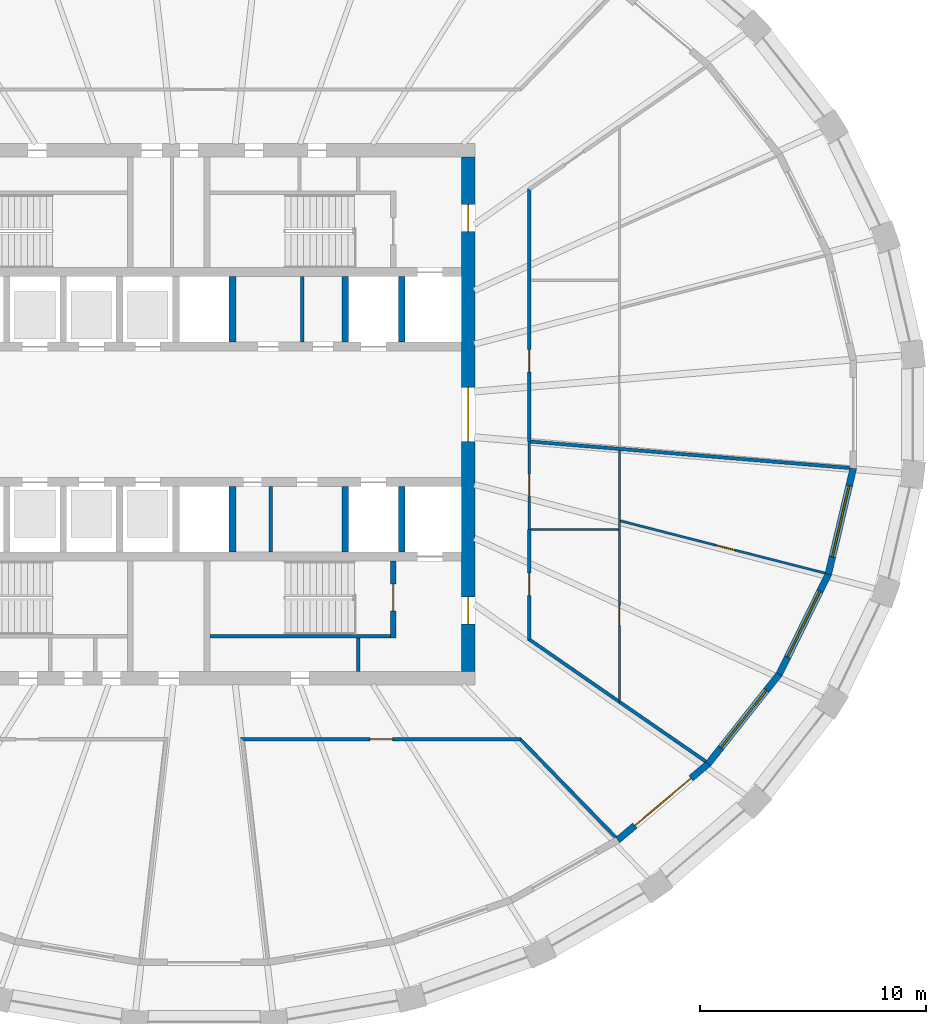
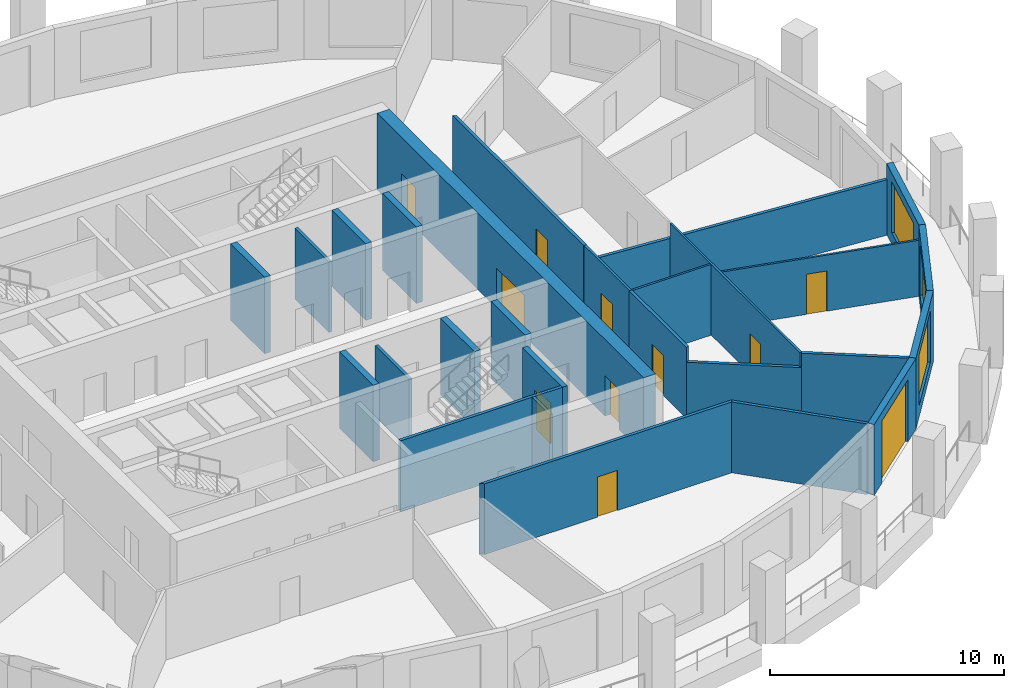
# One storey, part 5 of 11: 27 walls, 11 doors, 3 windows, 14 openings.
"""IFC4 building model written with IfcOpenShell, lengths in metres."""

from ifc_helpers import new_model, si_unit, direction, frame, frame_2d, origin, place, context, subcontext, project, spatial, polyline, rectangle, outline, extrude, material, layer, layer_set, type_object, element, fill, save


model = new_model("IFC4")

# Units and contexts
model_context = context("Model", 3, precision=1e-05, world=origin(), true_north=direction((0.0, 1.0)))
body_context = subcontext(model_context, "Body", "Model", "MODEL_VIEW")
ifc_project = project(units=[si_unit("LENGTHUNIT", "METRE"), si_unit("AREAUNIT", "SQUARE_METRE"), si_unit("VOLUMEUNIT", "CUBIC_METRE"), si_unit("PLANEANGLEUNIT", "RADIAN"), si_unit("MASSUNIT", "GRAM", prefix="KILO")], contexts=[model_context])

# Site, building, storey
site_placement = place(None, origin())
site = spatial("IfcSite", under=ifc_project, at=site_placement, CompositionType="ELEMENT")
building_placement = place(site_placement, origin())
building = spatial("IfcBuilding", under=site, at=building_placement, Name="Halqa Exchange Tower", CompositionType="ELEMENT")
storey_placement = place(building_placement, frame((0.0, 0.0, 226.89990234375)))
storey = spatial("IfcBuildingStorey", under=building, at=storey_placement, Name="L52", CompositionType="ELEMENT", Elevation=226.89990234375)

# Wall, opening, door
ifc_material_1 = material(Name="Fire-rated gypsum board")
ifc_layer_1 = layer(ifc_material_1, 0.14990234375)
ifc_layer_set_1 = layer_set([ifc_layer_1], Name="Fire-rated gypsum board")
wall_type_1 = type_object("IfcWallType", Name="Fire partition EI 60 150", PredefinedType="PARTITIONING", material=ifc_layer_set_1)
wall_1_placement = place(storey_placement, frame((14.041748046875, -14.39990234375, 0.0), z_axis=(0.0, 0.0, 1.0), x_axis=(-1.0, 0.0, 0.0)))
wall_1 = element("IfcWall", 1, at=wall_1_placement, inside=storey, type_object=wall_type_1, Name="L52-PWL-014", PredefinedType="PARTITIONING", context=body_context, shape_type="SweptSolid", body=[
    extrude(outline(polyline([(12.446044921875, -0.074951171875), (12.446044921875, -0.074951171875), (12.277587890625, 0.074951171875), (10.53271484375, 0.074951171875), (8.787841796875, 0.074951171875), (7.04296875, 0.074951171875), (5.298095703125, 0.074951171875), (3.55322265625, 0.074951171875), (1.808349609375, 0.074951171875), (0.063232421875, 0.074951171875), (0.0, -0.074951171875), (1.778076171875, -0.074951171875), (3.55615234375, -0.074951171875), (5.333984375, -0.074951171875), (7.112060546875, -0.074951171875), (8.89013671875, -0.074951171875), (10.66796875, -0.074951171875), (12.446044921875, -0.074951171875)])), origin(), (0.0, 0.0, 1.0), 3.7001953125),
])
opening_1_placement = place(wall_1_placement, frame((5.69677734375, 0.0, 0.0)))
opening_1 = element("IfcOpeningElement", 2, at=opening_1_placement, cuts=wall_1, Name="Opening 16-06", PredefinedType="OPENING", context=body_context, shape_type="SweptSolid", body=[
    extrude(rectangle(XDim=1.0, YDim=2.10009765625, at=frame_2d((0.5, 1.050048828125))), frame((0.0, 0.0869140625, 0.0), z_axis=(0.0, -1.0, 0.0), x_axis=(1.0, 0.0, 0.0)), (0.0, 0.0, 1.0), 0.173828125),
])
ifc_material_2 = material(Name="Steel fire door leaf", Category="steel")
door_type_1 = type_object("IfcDoorType", Name="Fire door FD30S 1000 x 2100", OperationType="SINGLE_SWING_LEFT", PredefinedType="DOOR", material=ifc_material_2)
door_1_placement = place(opening_1_placement, origin())
door_1 = element("IfcDoor", 3, at=door_1_placement, inside=storey, type_object=door_type_1, Name="L52-IDR-006", OperationType="SINGLE_SWING_LEFT", OverallHeight=2.10009765625, OverallWidth=1.0, PredefinedType="DOOR", context=body_context, shape_type="SweptSolid", body=[
    extrude(rectangle(XDim=1.0, YDim=2.10009765625, at=frame_2d((0.5, 1.050048828125))), frame((0.0, 0.02490234375, 0.0), z_axis=(0.0, -1.0, 0.0), x_axis=(1.0, 0.0, 0.0)), (0.0, 0.0, 1.0), 0.050048828125),
])
fill(opening_1, door_1)

# Wall
wall_2_placement = place(storey_placement, frame((14.36767578125, -9.947509765625, 0.0), z_axis=(0.0, 0.0, 1.0), x_axis=(0.822094305235, -0.569351344339, 0.0)))
element("IfcWall", 4, at=wall_2_placement, inside=storey, type_object=wall_type_1, Name="L52-PWL-016", PredefinedType="PARTITIONING", context=body_context, shape_type="SweptSolid", body=[
    extrude(outline(polyline([(4.93896484375, -0.074951171875), (4.93896484375, 0.035888671875), (4.858154296875, -0.02001953125), (4.792236328125, 0.074951171875), (3.220947265625, 0.074951171875), (1.64990234375, 0.074951171875), (0.07861328125, 0.074951171875), (0.039306640625, 0.0), (0.000244140625, -0.074951171875), (1.646484375, -0.074951171875), (3.292724609375, -0.074951171875), (4.93896484375, -0.074951171875)])), origin(), (0.0, 0.0, 1.0), 2.947021484375),
])

# Wall, opening, door
wall_3_placement = place(storey_placement, frame((14.39990234375, -5.10009765625, 0.0), z_axis=(0.0, 0.0, 1.0), x_axis=(0.0, -1.0, 0.0)))
wall_3 = element("IfcWall", 5, at=wall_3_placement, inside=storey, type_object=wall_type_1, Name="L52-PWL-017", PredefinedType="PARTITIONING", context=body_context, shape_type="SweptSolid", body=[
    extrude(outline(polyline([(4.9091796875, -0.074951171875), (4.9091796875, -0.074951171875), (4.830810546875, 0.074951171875), (3.220458984375, 0.074951171875), (1.6103515625, 0.074951171875), (0.0, 0.074951171875), (0.0, -0.074951171875), (1.636474609375, -0.074951171875), (3.272705078125, -0.074951171875), (4.9091796875, -0.074951171875)])), origin(), (0.0, 0.0, 1.0), 3.7001953125),
])
opening_2_placement = place(wall_3_placement, frame((1.93505859375, 0.0, 0.0)))
opening_2 = element("IfcOpeningElement", 6, at=opening_2_placement, cuts=wall_3, Name="Opening 16-08", PredefinedType="OPENING", context=body_context, shape_type="SweptSolid", body=[
    extrude(rectangle(XDim=1.0, YDim=2.10009765625, at=frame_2d((0.5, 1.050048828125))), frame((0.0, 0.0869140625, 0.0), z_axis=(0.0, -1.0, 0.0), x_axis=(1.0, 0.0, 0.0)), (0.0, 0.0, 1.0), 0.173828125),
])
door_2_placement = place(opening_2_placement, origin())
door_2 = element("IfcDoor", 7, at=door_2_placement, inside=storey, type_object=door_type_1, Name="L52-IDR-008", OperationType="SINGLE_SWING_RIGHT", OverallHeight=2.10009765625, OverallWidth=1.0, PredefinedType="DOOR", context=body_context, shape_type="SweptSolid", body=[
    extrude(rectangle(XDim=1.0, YDim=2.10009765625, at=frame_2d((0.5, 1.050048828125))), frame((0.0, 0.02490234375, 0.0), z_axis=(0.0, -1.0, 0.0), x_axis=(1.0, 0.0, 0.0)), (0.0, 0.0, 1.0), 0.050048828125),
])
fill(opening_2, door_2)

wall_4_placement = place(storey_placement, frame((14.39990234375, -1.199951171875, 0.0), z_axis=(0.0, 0.0, 1.0), x_axis=(0.0, 1.0, 0.0)))
wall_4 = element("IfcWall", 8, at=wall_4_placement, inside=storey, type_object=wall_type_1, Name="L52-PWL-019", PredefinedType="PARTITIONING", context=body_context, shape_type="SweptSolid", body=[
    extrude(outline(polyline([(0.0, -0.074951171875), (1.855224609375, -0.074951171875), (3.710205078125, -0.074951171875), (5.5654296875, -0.074951171875), (7.42041015625, -0.074951171875), (9.275634765625, -0.074951171875), (11.130859375, -0.074951171875), (11.209228515625, 0.074951171875), (11.209228515625, 0.074951171875), (9.341064453125, 0.074951171875), (7.472900390625, 0.074951171875), (5.6044921875, 0.074951171875), (3.736328125, 0.074951171875), (1.8681640625, 0.074951171875), (0.0, 0.074951171875), (0.0, -0.074951171875)])), origin(), (0.0, 0.0, 1.0), 3.7001953125),
])
opening_3_placement = place(wall_4_placement, frame((3.070068359375, 0.0, 0.0)))
opening_3 = element("IfcOpeningElement", 9, at=opening_3_placement, cuts=wall_4, Name="Opening 16-10", PredefinedType="OPENING", context=body_context, shape_type="SweptSolid", body=[
    extrude(rectangle(XDim=1.0, YDim=2.10009765625, at=frame_2d((0.5, 1.050048828125))), frame((0.0, 0.0869140625, 0.0), z_axis=(0.0, -1.0, 0.0), x_axis=(1.0, 0.0, 0.0)), (0.0, 0.0, 1.0), 0.173828125),
])
door_3_placement = place(opening_3_placement, frame((1.0, 0.0, 0.0), z_axis=(0.0, 0.0, 1.0), x_axis=(-1.0, 0.0, 0.0)))
door_3 = element("IfcDoor", 10, at=door_3_placement, inside=storey, type_object=door_type_1, Name="L52-IDR-010", OperationType="SINGLE_SWING_RIGHT", OverallHeight=2.10009765625, OverallWidth=1.0, PredefinedType="DOOR", context=body_context, shape_type="SweptSolid", body=[
    extrude(rectangle(XDim=1.0, YDim=2.10009765625, at=frame_2d((0.5, 1.050048828125))), frame((0.0, 0.02490234375, 0.0), z_axis=(0.0, -1.0, 0.0), x_axis=(1.0, 0.0, 0.0)), (0.0, 0.0, 1.0), 0.050048828125),
])
fill(opening_3, door_3)

# Walls
wall_5_placement = place(storey_placement, frame((14.46630859375, -1.20556640625, 0.0), z_axis=(0.0, 0.0, 1.0), x_axis=(0.996598124583, -0.082414671491, 0.0)))
element("IfcWall", 11, at=wall_5_placement, inside=storey, type_object=wall_type_1, Name="L52-PWL-020", PredefinedType="PARTITIONING", context=body_context, shape_type="SweptSolid", body=[
    extrude(outline(polyline([(0.0, -0.074951171875), (1.333740234375, -0.074951171875), (2.667236328125, -0.074951171875), (4.0009765625, -0.074951171875), (4.00341796875, -0.07470703125), (4.00341796875, -0.074951171875), (5.700439453125, -0.074951171875), (7.397216796875, -0.074951171875), (9.09423828125, -0.074951171875), (10.791259765625, -0.074951171875), (12.488037109375, -0.074951171875), (14.18505859375, -0.074951171875), (14.189697265625, -0.0439453125), (14.189697265625, 0.074951171875), (12.47509765625, 0.074951171875), (10.7607421875, 0.074951171875), (9.046142578125, 0.074951171875), (7.33154296875, 0.074951171875), (5.6171875, 0.074951171875), (3.902587890625, 0.074951171875), (3.890869140625, 0.073974609375), (3.890869140625, 0.074951171875), (1.946533203125, 0.074951171875), (0.00244140625, 0.074951171875), (0.00830078125, 0.00634765625), (0.0, 0.005615234375), (0.0, -0.074951171875)])), origin(), (0.0, 0.0, 1.0), 2.900146484375),
])
wall_6_placement = place(storey_placement, frame((18.242431640625, -18.746826171875, 0.0), z_axis=(0.0, 0.0, 1.0), x_axis=(-0.697616683155, 0.716471188105, 0.0)))
element("IfcWall", 12, at=wall_6_placement, inside=storey, type_object=wall_type_1, Name="L52-PWL-022", PredefinedType="PARTITIONING", context=body_context, shape_type="SweptSolid", body=[
    extrude(outline(polyline([(0.0, -0.074951171875), (1.524658203125, -0.074951171875), (3.04931640625, -0.074951171875), (4.573974609375, -0.074951171875), (6.0986328125, -0.074951171875), (6.06689453125, 0.0), (6.035400390625, 0.074951171875), (4.532958984375, 0.074951171875), (3.030517578125, 0.074951171875), (1.52783203125, 0.074951171875), (0.025390625, 0.074951171875), (0.005126953125, -0.002197265625), (0.0, -0.07177734375), (0.0, -0.074951171875)])), origin(), (0.0, 0.0, 1.0), 3.7001953125),
])
wall_7_placement = place(storey_placement, frame((18.42822265625, -12.759521484375, 0.0), z_axis=(0.0, 0.0, 1.0), x_axis=(0.822939262801, -0.568129360041, 0.0)))
element("IfcWall", 13, at=wall_7_placement, inside=storey, type_object=wall_type_1, Name="L52-PWL-023", PredefinedType="PARTITIONING", context=body_context, shape_type="SweptSolid", body=[
    extrude(outline(polyline([(0.0, -0.074951171875), (1.531494140625, -0.074951171875), (3.062744140625, -0.074951171875), (4.59423828125, -0.074951171875), (4.61474609375, 0.00048828125), (4.619140625, 0.06787109375), (4.619140625, 0.074951171875), (3.079345703125, 0.074951171875), (1.539794921875, 0.074951171875), (0.0, 0.074951171875), (0.0, 0.038330078125), (0.001220703125, 0.03662109375), (0.0, 0.035888671875), (0.0, -0.074951171875)])), origin(), (0.0, 0.0, 1.0), 3.7001953125),
])

# Wall, opening, door
ifc_material_3 = material(Name="Fire-rated glazing", Category="glass")
ifc_layer_2 = layer(ifc_material_3, 0.1201171875)
ifc_layer_set_2 = layer_set([ifc_layer_2], Name="Fire-rated glazing")
wall_type_2 = type_object("IfcWallType", Name="Glazed fire partition EI 60 120", PredefinedType="PARTITIONING", material=ifc_layer_set_2)
wall_8_placement = place(storey_placement, frame((14.39990234375, -1.199951171875, 0.0), z_axis=(0.0, 0.0, 1.0), x_axis=(0.0, -1.0, 0.0)))
wall_8 = element("IfcWall", 14, at=wall_8_placement, inside=storey, type_object=wall_type_2, Name="L52-PWL-018", PredefinedType="PARTITIONING", context=body_context, shape_type="SweptSolid", body=[
    extrude(rectangle(XDim=3.900146484375, YDim=0.1201171875, at=frame_2d((1.9501953125, 0.0))), origin(), (0.0, 0.0, 1.0), 3.7001953125),
])
opening_4_placement = place(wall_8_placement, frame((1.449951171875, 0.0, 0.0)))
opening_4 = element("IfcOpeningElement", 15, at=opening_4_placement, cuts=wall_8, Name="Opening 16-07", PredefinedType="OPENING", context=body_context, shape_type="SweptSolid", body=[
    extrude(rectangle(XDim=1.0, YDim=2.10009765625, at=frame_2d((0.5, 1.050048828125))), frame((0.0, 0.072021484375, 0.0), z_axis=(0.0, -1.0, 0.0), x_axis=(1.0, 0.0, 0.0)), (0.0, 0.0, 1.0), 0.14404296875),
])
door_4_placement = place(opening_4_placement, origin())
door_4 = element("IfcDoor", 16, at=door_4_placement, inside=storey, type_object=door_type_1, Name="L52-IDR-007", OperationType="SINGLE_SWING_LEFT", OverallHeight=2.10009765625, OverallWidth=1.0, PredefinedType="DOOR", context=body_context, shape_type="SweptSolid", body=[
    extrude(rectangle(XDim=1.0, YDim=2.10009765625, at=frame_2d((0.5, 1.050048828125))), frame((0.0, 0.02490234375, 0.0), z_axis=(0.0, -1.0, 0.0), x_axis=(1.0, 0.0, 0.0)), (0.0, 0.0, 1.0), 0.050048828125),
])
fill(opening_4, door_4)

ifc_material_4 = material(Name="Gypsum board")
ifc_layer_3 = layer(ifc_material_4, 0.10009765625)
ifc_layer_set_3 = layer_set([ifc_layer_3], Name="Gypsum board")
wall_type_3 = type_object("IfcWallType", Name="Partition 100 gypsum", PredefinedType="PARTITIONING", material=ifc_layer_set_3)
wall_9_placement = place(storey_placement, frame((18.39990234375, -12.72998046875, 0.0), z_axis=(0.0, 0.0, 1.0), x_axis=(0.0, 1.0, 0.0)))
wall_9 = element("IfcWall", 17, at=wall_9_placement, inside=storey, type_object=wall_type_3, Name="L52-PWL-024", PredefinedType="PARTITIONING", context=body_context, shape_type="SweptSolid", body=[
    extrude(rectangle(XDim=11.119873046875, YDim=0.10009765625, at=frame_2d((5.56005859375, 0.0))), origin(), (0.0, 0.0, 1.0), 3.7001953125),
])
opening_5_placement = place(wall_9_placement, frame((3.364990234375, 0.0, 0.0)))
opening_5 = element("IfcOpeningElement", 18, at=opening_5_placement, cuts=wall_9, Name="Opening 16-12", PredefinedType="OPENING", context=body_context, shape_type="SweptSolid", body=[
    extrude(rectangle(XDim=0.89990234375, YDim=2.10009765625, at=frame_2d((0.449951171875, 1.050048828125))), frame((0.0, 0.06201171875, 0.0), z_axis=(0.0, -1.0, 0.0), x_axis=(1.0, 0.0, 0.0)), (0.0, 0.0, 1.0), 0.1240234375),
])
ifc_material_5 = material(Name="Timber door leaf", Category="wood")
door_type_2 = type_object("IfcDoorType", Name="Door 900 x 2100", OperationType="SINGLE_SWING_LEFT", PredefinedType="DOOR", material=ifc_material_5)
door_5_placement = place(opening_5_placement, origin())
door_5 = element("IfcDoor", 19, at=door_5_placement, inside=storey, type_object=door_type_2, Name="L52-IDR-012", OperationType="SINGLE_SWING_LEFT", OverallHeight=2.10009765625, OverallWidth=0.89990234375, PredefinedType="DOOR", context=body_context, shape_type="SweptSolid", body=[
    extrude(rectangle(XDim=0.89990234375, YDim=2.10009765625, at=frame_2d((0.449951171875, 1.050048828125))), frame((0.0, 0.02490234375, 0.0), z_axis=(0.0, -1.0, 0.0), x_axis=(1.0, 0.0, 0.0)), (0.0, 0.0, 1.0), 0.050048828125),
])
fill(opening_5, door_5)

# Wall
wall_10_placement = place(storey_placement, frame((18.35009765625, -5.10009765625, 0.0), z_axis=(0.0, 0.0, 1.0), x_axis=(-1.0, 0.0, 0.0)))
element("IfcWall", 20, at=wall_10_placement, inside=storey, type_object=wall_type_3, Name="L52-PWL-025", PredefinedType="PARTITIONING", context=body_context, shape_type="SweptSolid", body=[
    extrude(outline(polyline([(3.8896484375, -0.050048828125), (3.8896484375, 0.0), (3.875, 0.0), (3.875, 0.050048828125), (1.9375, 0.050048828125), (0.0, 0.050048828125), (0.0, -0.050048828125), (1.94482421875, -0.050048828125), (3.8896484375, -0.050048828125)])), origin(), (0.0, 0.0, 1.0), 3.7001953125),
])

# Wall, opening, door
wall_11_placement = place(storey_placement, frame((18.437744140625, -4.719482421875, 0.0), z_axis=(0.0, 0.0, 1.0), x_axis=(0.968975503795, -0.247156778269, 0.0)))
wall_11 = element("IfcWall", 21, at=wall_11_placement, inside=storey, type_object=wall_type_3, Name="L52-PWL-026", PredefinedType="PARTITIONING", context=body_context, shape_type="SweptSolid", body=[
    extrude(outline(polyline([(0.025390625, -0.050048828125), (1.89208984375, -0.050048828125), (3.758544921875, -0.050048828125), (5.625244140625, -0.050048828125), (7.49169921875, -0.050048828125), (9.3583984375, -0.050048828125), (9.3671875, -0.008056640625), (9.3671875, 0.050048828125), (7.49365234375, 0.050048828125), (5.620361328125, 0.050048828125), (3.746826171875, 0.050048828125), (1.87353515625, 0.050048828125), (0.0, 0.050048828125), (0.0, 0.049560546875), (0.025390625, -0.050048828125)])), origin(), (0.0, 0.0, 1.0), 2.93017578125),
])
opening_6_placement = place(wall_11_placement, frame((4.36669921875, 0.0, 0.0)))
opening_6 = element("IfcOpeningElement", 22, at=opening_6_placement, cuts=wall_11, Name="Opening 16-13", PredefinedType="OPENING", context=body_context, shape_type="SweptSolid", body=[
    extrude(rectangle(XDim=0.89990234375, YDim=2.10009765625, at=frame_2d((0.449951171875, 1.050048828125))), frame((0.0, 0.06201171875, 0.0), z_axis=(0.0, -1.0, 0.0), x_axis=(1.0, 0.0, 0.0)), (0.0, 0.0, 1.0), 0.1240234375),
])
door_6_placement = place(opening_6_placement, origin())
door_6 = element("IfcDoor", 23, at=door_6_placement, inside=storey, type_object=door_type_2, Name="L52-IDR-013", OperationType="SINGLE_SWING_LEFT", OverallHeight=2.10009765625, OverallWidth=0.89990234375, PredefinedType="DOOR", context=body_context, shape_type="SweptSolid", body=[
    extrude(rectangle(XDim=0.89990234375, YDim=2.10009765625, at=frame_2d((0.449951171875, 1.050048828125))), frame((0.0, 0.02490234375, 0.0), z_axis=(0.0, -1.0, 0.0), x_axis=(1.0, 0.0, 0.0)), (0.0, 0.0, 1.0), 0.050048828125),
])
fill(opening_6, door_6)

# Walls
ifc_layer_4 = layer(ifc_material_4, 0.14990234375)
ifc_layer_set_4 = layer_set([ifc_layer_4], Name="Gypsum board")
wall_type_4 = type_object("IfcWallType", Name="Penthouse riser wall 150 gypsum", PredefinedType="PARTITIONING", material=ifc_layer_set_4)
wall_12_placement = place(storey_placement, frame((6.824951171875, -11.39990234375, 0.0), z_axis=(0.0, 0.0, 1.0), x_axis=(0.0, 1.0, 0.0)))
element("IfcWall", 24, at=wall_12_placement, inside=storey, type_object=wall_type_4, Name="Firefighting lobby west wall S", PredefinedType="PARTITIONING", context=body_context, shape_type="SweptSolid", body=[
    extrude(rectangle(XDim=1.5, YDim=0.14990234375, at=frame_2d((0.75, 0.0))), origin(), (0.0, 0.0, 1.0), 3.7001953125),
])
for number, where, z_axis, x_axis, name in (
    (25, (4.35009765625, 3.199951171875, 0.0), (0.0, 0.0, 1.0), (0.0, 1.0, 0.0), "Freed bay partition NE4.350"),
    (26, (2.949951171875, -6.10009765625, 0.0), (0.0, 0.0, 1.0), (0.0, 1.0, 0.0), "Freed bay partition SE2.950"),
):
    element("IfcWall", number, at=place(storey_placement, frame(where, z_axis=z_axis, x_axis=x_axis)), inside=storey, type_object=wall_type_4, Name=name, PredefinedType="PARTITIONING", context=body_context, shape_type="SweptSolid", body=[
        extrude(rectangle(XDim=2.900146484375, YDim=0.14990234375, at=frame_2d((1.4501953125, 0.0))), origin(), (0.0, 0.0, 1.0), 3.7001953125),
    ])
ifc_material_6 = material(Name="Concrete C60/75", Category="concrete")
ifc_layer_5 = layer(ifc_material_6, 0.300048828125)
ifc_layer_set_5 = layer_set([ifc_layer_5], Name="Concrete C60/75")
wall_type_5 = type_object("IfcWallType", Name="RC core wall 300", PredefinedType="SHEAR", material=ifc_layer_set_5)
for number, where, z_axis, x_axis, name in (
    (27, (1.25, 3.199951171875, 0.0), (0.0, 0.0, 1.0), (0.0, 1.0, 0.0), "Shaft divider N5"),
    (28, (6.25, 3.199951171875, 0.0), (0.0, 0.0, 1.0), (0.0, 1.0, 0.0), "Shaft divider N7"),
    (29, (8.75, 3.199951171875, 0.0), (0.0, 0.0, 1.0), (0.0, 1.0, 0.0), "Shaft divider N8"),
    (30, (1.25, -6.10009765625, 0.0), (0.0, 0.0, 1.0), (0.0, 1.0, 0.0), "Shaft divider S5"),
    (31, (6.25, -6.10009765625, 0.0), (0.0, 0.0, 1.0), (0.0, 1.0, 0.0), "Shaft divider S7"),
    (32, (8.75, -6.10009765625, 0.0), (0.0, 0.0, 1.0), (0.0, 1.0, 0.0), "Shaft divider S8"),
):
    element("IfcWall", number, at=place(storey_placement, frame(where, z_axis=z_axis, x_axis=x_axis)), inside=storey, type_object=wall_type_5, Name=name, PredefinedType="SHEAR", context=body_context, shape_type="SweptSolid", body=[
        extrude(rectangle(XDim=2.900146484375, YDim=0.300048828125, at=frame_2d((1.4501953125, 0.0))), origin(), (0.0, 0.0, 1.0), 4.0),
    ])

# Wall, openings, doors
ifc_material_7 = material(Name="Concrete C70/85", Category="concrete")
ifc_layer_6 = layer(ifc_material_7, 0.60009765625)
ifc_layer_set_6 = layer_set([ifc_layer_6], Name="Concrete C70/85")
wall_type_6 = type_object("IfcWallType", Name="RC core wall 600 C70/85", PredefinedType="SHEAR", material=ifc_layer_set_6)
wall_13_placement = place(storey_placement, frame((11.699951171875, -11.39990234375, 0.0), z_axis=(0.0, 0.0, 1.0), x_axis=(0.0, 1.0, 0.0)))
wall_13 = element("IfcWall", 33, at=wall_13_placement, inside=storey, type_object=wall_type_6, Name="Core wall east", PredefinedType="SHEAR", context=body_context, shape_type="SweptSolid", body=[
    extrude(rectangle(XDim=22.7998046875, YDim=0.60009765625, at=frame_2d((11.39990234375, 0.0))), origin(), (0.0, 0.0, 1.0), 4.0),
])
opening_7_placement = place(wall_13_placement, frame((10.199951171875, 0.0, 0.0)))
opening_7 = element("IfcOpeningElement", 34, at=opening_7_placement, cuts=wall_13, Name="Opening T16-C14", PredefinedType="OPENING", context=body_context, shape_type="SweptSolid", body=[
    extrude(rectangle(XDim=2.39990234375, YDim=2.10009765625, at=frame_2d((1.199951171875, 1.050048828125))), frame((0.0, 0.31201171875, 0.0), z_axis=(0.0, -1.0, 0.0), x_axis=(1.0, 0.0, 0.0)), (0.0, 0.0, 1.0), 0.6240234375),
])
opening_8_placement = place(wall_13_placement, frame((19.5, 0.0, 0.0)))
opening_8 = element("IfcOpeningElement", 35, at=opening_8_placement, cuts=wall_13, Name="Opening T16-C19", PredefinedType="OPENING", context=body_context, shape_type="SweptSolid", body=[
    extrude(rectangle(XDim=1.199951171875, YDim=2.10009765625, at=frame_2d((0.60009765625, 1.050048828125))), frame((0.0, 0.31201171875, 0.0), z_axis=(0.0, -1.0, 0.0), x_axis=(1.0, 0.0, 0.0)), (0.0, 0.0, 1.0), 0.6240234375),
])
opening_9_placement = place(wall_13_placement, frame((2.10009765625, 0.0, 0.0)))
opening_9 = element("IfcOpeningElement", 36, at=opening_9_placement, cuts=wall_13, Name="Opening T16-C20", PredefinedType="OPENING", context=body_context, shape_type="SweptSolid", body=[
    extrude(rectangle(XDim=1.199951171875, YDim=2.10009765625, at=frame_2d((0.60009765625, 1.050048828125))), frame((0.0, 0.31201171875, 0.0), z_axis=(0.0, -1.0, 0.0), x_axis=(1.0, 0.0, 0.0)), (0.0, 0.0, 1.0), 0.6240234375),
])
door_type_3 = type_object("IfcDoorType", Name="Firefighting lobby door FD90 1200 x 2100", OperationType="SINGLE_SWING_RIGHT", PredefinedType="DOOR", material=ifc_material_2)
door_7_placement = place(opening_8_placement, origin())
door_7 = element("IfcDoor", 37, at=door_7_placement, inside=storey, type_object=door_type_3, Name="Firefighting lobby door", OperationType="SINGLE_SWING_RIGHT", OverallHeight=2.10009765625, OverallWidth=1.199951171875, PredefinedType="DOOR", context=body_context, shape_type="SweptSolid", body=[
    extrude(rectangle(XDim=1.199951171875, YDim=2.10009765625, at=frame_2d((0.60009765625, 1.050048828125))), frame((0.0, 0.02490234375, 0.0), z_axis=(0.0, -1.0, 0.0), x_axis=(1.0, 0.0, 0.0)), (0.0, 0.0, 1.0), 0.050048828125),
])
fill(opening_8, door_7)
door_8_placement = place(opening_9_placement, origin())
door_8 = element("IfcDoor", 38, at=door_8_placement, inside=storey, type_object=door_type_3, Name="Firefighting lobby door", OperationType="SINGLE_SWING_LEFT", OverallHeight=2.10009765625, OverallWidth=1.199951171875, PredefinedType="DOOR", context=body_context, shape_type="SweptSolid", body=[
    extrude(rectangle(XDim=1.199951171875, YDim=2.10009765625, at=frame_2d((0.60009765625, 1.050048828125))), frame((0.0, 0.02490234375, 0.0), z_axis=(0.0, -1.0, 0.0), x_axis=(1.0, 0.0, 0.0)), (0.0, 0.0, 1.0), 0.050048828125),
])
fill(opening_9, door_8)
door_type_4 = type_object("IfcDoorType", Name="Lobby double door FD60 2400 x 2100", OperationType="DOUBLE_DOOR_SINGLE_SWING", PredefinedType="DOOR", material=ifc_material_2)
door_9_placement = place(opening_7_placement, origin())
door_9 = element("IfcDoor", 39, at=door_9_placement, inside=storey, type_object=door_type_4, Name="Lift lobby double door", OperationType="DOUBLE_DOOR_SINGLE_SWING", OverallHeight=2.10009765625, OverallWidth=2.39990234375, PredefinedType="DOOR", context=body_context, shape_type="SweptSolid", body=[
    extrude(rectangle(XDim=2.39990234375, YDim=2.10009765625, at=frame_2d((1.199951171875, 1.050048828125))), frame((0.0, 0.02490234375, 0.0), z_axis=(0.0, -1.0, 0.0), x_axis=(1.0, 0.0, 0.0)), (0.0, 0.0, 1.0), 0.050048828125),
])
fill(opening_7, door_9)

# Wall
ifc_material_8 = material(Name="Concrete C30/37", Category="concrete")
ifc_layer_7 = layer(ifc_material_8, 0.14990234375)
ifc_layer_set_7 = layer_set([ifc_layer_7], Name="Concrete C30/37")
wall_type_7 = type_object("IfcWallType", Name="RC stair wall 150 C30/37", PredefinedType="SHEAR", material=ifc_layer_set_7)
wall_14_placement = place(storey_placement, frame((0.25, -9.824951171875, 0.0), z_axis=(0.0, 0.0, 1.0), x_axis=(1.0, 0.0, 0.0)))
element("IfcWall", 40, at=wall_14_placement, inside=storey, type_object=wall_type_7, Name="Stair ST2 north wall S", PredefinedType="SHEAR", context=body_context, shape_type="SweptSolid", body=[
    extrude(rectangle(XDim=8.0, YDim=0.14990234375, at=frame_2d((4.0, 0.0))), origin(), (0.0, 0.0, 1.0), 3.7001953125),
])

# Wall, opening, door
ifc_layer_8 = layer(ifc_material_8, 0.25)
ifc_layer_set_8 = layer_set([ifc_layer_8], Name="Concrete C30/37")
wall_type_8 = type_object("IfcWallType", Name="RC stair wall 250 C30/37", PredefinedType="SHEAR", material=ifc_layer_set_8)
wall_15_placement = place(storey_placement, frame((8.375, -9.89990234375, 0.0), z_axis=(0.0, 0.0, 1.0), x_axis=(0.0, 1.0, 0.0)))
wall_15 = element("IfcWall", 41, at=wall_15_placement, inside=storey, type_object=wall_type_8, Name="Stair ST2 east wall S", PredefinedType="SHEAR", context=body_context, shape_type="SweptSolid", body=[
    extrude(rectangle(XDim=3.39990234375, YDim=0.25, at=frame_2d((1.699951171875, 0.0))), origin(), (0.0, 0.0, 1.0), 3.7001953125),
])
opening_10_placement = place(wall_15_placement, frame((1.175048828125, 0.0, 0.0)))
opening_10 = element("IfcOpeningElement", 42, at=opening_10_placement, cuts=wall_15, Name="Opening T16-C18", PredefinedType="OPENING", context=body_context, shape_type="SweptSolid", body=[
    extrude(rectangle(XDim=1.199951171875, YDim=2.10009765625, at=frame_2d((0.60009765625, 1.050048828125))), frame((0.0, 0.136962890625, 0.0), z_axis=(0.0, -1.0, 0.0), x_axis=(1.0, 0.0, 0.0)), (0.0, 0.0, 1.0), 0.27392578125),
])
door_type_5 = type_object("IfcDoorType", Name="Stair door FD90 1200 x 2100", OperationType="SINGLE_SWING_LEFT", PredefinedType="DOOR", material=ifc_material_2)
door_10_placement = place(opening_10_placement, origin())
door_10 = element("IfcDoor", 43, at=door_10_placement, inside=storey, type_object=door_type_5, Name="Stair door ST4", OperationType="SINGLE_SWING_RIGHT", OverallHeight=2.10009765625, OverallWidth=1.199951171875, PredefinedType="DOOR", context=body_context, shape_type="SweptSolid", body=[
    extrude(rectangle(XDim=1.199951171875, YDim=2.10009765625, at=frame_2d((0.60009765625, 1.050048828125))), frame((0.0, 0.02490234375, 0.0), z_axis=(0.0, -1.0, 0.0), x_axis=(1.0, 0.0, 0.0)), (0.0, 0.0, 1.0), 0.050048828125),
])
fill(opening_10, door_10)

ifc_material_9 = material(Name="Limestone cladding", Category="masonry")
ifc_layer_9 = layer(ifc_material_9, 0.0400390625)
ifc_material_10 = material(Name="Ventilated cavity")
ifc_layer_10 = layer(ifc_material_10, 0.030029296875, ventilated=True)
ifc_material_11 = material(Name="Mineral wool insulation")
ifc_layer_11 = layer(ifc_material_11, 0.10009765625)
ifc_layer_12 = layer(ifc_material_8, 0.10009765625)
ifc_material_12 = material(Name="Internal plaster")
ifc_layer_13 = layer(ifc_material_12, 0.030029296875)
ifc_layer_set_9 = layer_set([ifc_layer_9, ifc_layer_10, ifc_layer_11, ifc_layer_12, ifc_layer_13], Name="Stone-faced insulated wall 300")
wall_type_9 = type_object("IfcWallType", Name="Stone-faced insulated wall 300", PredefinedType="STANDARD", material=ifc_layer_set_9)
wall_16_placement = place(storey_placement, frame((18.326416015625, -18.865478515625, 0.0), z_axis=(0.0, 0.0, 1.0), x_axis=(0.764475071601, 0.644653290459, 0.0)))
wall_16 = element("IfcWall", 44, at=wall_16_placement, inside=storey, type_object=wall_type_9, Name="Glass-line wall 28", PredefinedType="STANDARD", context=body_context, shape_type="SweptSolid", body=[
    extrude(outline(polyline([(-0.01416015625, -0.14990234375), (5.2578125, -0.14990234375), (5.2275390625, 0.14990234375), (0.01416015625, 0.14990234375), (-0.01416015625, -0.14990234375)])), origin(), (0.0, 0.0, 1.0), 3.7001953125),
])
opening_11_placement = place(wall_16_placement, frame((0.996337890625, 0.0, 0.0)))
opening_11 = element("IfcOpeningElement", 45, at=opening_11_placement, cuts=wall_16, Name="Opening LG-F3-07", PredefinedType="OPENING", context=body_context, shape_type="SweptSolid", body=[
    extrude(rectangle(XDim=3.25, YDim=3.25, at=frame_2d((1.625, 1.625))), frame((0.0, 0.162109375, 0.0), z_axis=(0.0, -1.0, 0.0), x_axis=(1.0, 0.0, 0.0)), (0.0, 0.0, 1.0), 0.323974609375),
])
ifc_material_13 = material(Name="Clear low-emissivity glass in aluminium frame", Category="aluminium")
door_type_6 = type_object("IfcDoorType", Name="Glazed sliding loggia door 3250 x 3250", OperationType="DOUBLE_DOOR_SLIDING", PredefinedType="DOOR", material=ifc_material_13)
door_11_placement = place(opening_11_placement, origin())
door_11 = element("IfcDoor", 46, at=door_11_placement, inside=storey, type_object=door_type_6, Name="Loggia door 7", OperationType="DOUBLE_DOOR_SLIDING", OverallHeight=3.25, OverallWidth=3.25, PredefinedType="DOOR", context=body_context, shape_type="SweptSolid", body=[
    extrude(rectangle(XDim=3.25, YDim=3.25, at=frame_2d((1.625, 1.625))), frame((0.0, 0.02490234375, 0.0), z_axis=(0.0, -1.0, 0.0), x_axis=(1.0, 0.0, 0.0)), (0.0, 0.0, 1.0), 0.050048828125),
])
fill(opening_11, door_11)

# Wall, opening, window
wall_17_placement = place(storey_placement, frame((22.334228515625, -15.48583984375, 0.0), z_axis=(0.0, 0.0, 1.0), x_axis=(0.621084984443, 0.783743224596, 0.0)))
wall_17 = element("IfcWall", 47, at=wall_17_placement, inside=storey, type_object=wall_type_9, Name="Glass-line wall 29", PredefinedType="STANDARD", context=body_context, shape_type="SweptSolid", body=[
    extrude(outline(polyline([(-0.01513671875, -0.14990234375), (5.08935546875, -0.14990234375), (5.05712890625, 0.14990234375), (0.01513671875, 0.14990234375), (-0.01513671875, -0.14990234375)])), origin(), (0.0, 0.0, 1.0), 3.7001953125),
])
opening_12_placement = place(wall_17_placement, frame((0.91162109375, 0.0, 0.60009765625)))
opening_12 = element("IfcOpeningElement", 48, at=opening_12_placement, cuts=wall_17, Name="Opening W-F3-29", PredefinedType="OPENING", context=body_context, shape_type="SweptSolid", body=[
    extrude(rectangle(XDim=3.25, YDim=2.64990234375, at=frame_2d((1.625, 1.324951171875))), frame((0.0, 0.162109375, 0.0), z_axis=(0.0, -1.0, 0.0), x_axis=(1.0, 0.0, 0.0)), (0.0, 0.0, 1.0), 0.323974609375),
])
window_type = type_object("IfcWindowType", Name="Fixed clear glazed window 3250 x 2650", PartitioningType="TRIPLE_PANEL_VERTICAL", PredefinedType="WINDOW", material=ifc_material_13)
window_1_placement = place(opening_12_placement, origin())
window_1 = element("IfcWindow", 49, at=window_1_placement, inside=storey, type_object=window_type, Name="Window 3", OverallHeight=2.64990234375, OverallWidth=3.25, PartitioningType="TRIPLE_PANEL_VERTICAL", PredefinedType="WINDOW", context=body_context, shape_type="SweptSolid", body=[
    extrude(rectangle(XDim=3.25, YDim=2.64990234375, at=frame_2d((1.625, 1.324951171875))), frame((0.0, 0.030029296875, 0.0), z_axis=(0.0, -1.0, 0.0), x_axis=(1.0, 0.0, 0.0)), (0.0, 0.0, 1.0), 0.06005859375),
])
fill(opening_12, window_1)

wall_18_placement = place(storey_placement, frame((25.485107421875, -11.509765625, 0.0), z_axis=(0.0, 0.0, 1.0), x_axis=(0.440857641837, 0.897577038272, 0.0)))
wall_18 = element("IfcWall", 50, at=wall_18_placement, inside=storey, type_object=wall_type_9, Name="Glass-line wall 30", PredefinedType="STANDARD", context=body_context, shape_type="SweptSolid", body=[
    extrude(outline(polyline([(-0.01611328125, -0.14990234375), (4.942138671875, -0.14990234375), (4.908447265625, 0.14990234375), (0.01611328125, 0.14990234375), (-0.01611328125, -0.14990234375)])), origin(), (0.0, 0.0, 1.0), 3.7001953125),
])
opening_13_placement = place(wall_18_placement, frame((0.837646484375, 0.0, 0.60009765625)))
opening_13 = element("IfcOpeningElement", 51, at=opening_13_placement, cuts=wall_18, Name="Opening W-F3-30", PredefinedType="OPENING", context=body_context, shape_type="SweptSolid", body=[
    extrude(rectangle(XDim=3.25, YDim=2.64990234375, at=frame_2d((1.625, 1.324951171875))), frame((0.0, 0.162109375, 0.0), z_axis=(0.0, -1.0, 0.0), x_axis=(1.0, 0.0, 0.0)), (0.0, 0.0, 1.0), 0.323974609375),
])
window_2_placement = place(opening_13_placement, origin())
window_2 = element("IfcWindow", 52, at=window_2_placement, inside=storey, type_object=window_type, Name="Window 3", OverallHeight=2.64990234375, OverallWidth=3.25, PartitioningType="TRIPLE_PANEL_VERTICAL", PredefinedType="WINDOW", context=body_context, shape_type="SweptSolid", body=[
    extrude(rectangle(XDim=3.25, YDim=2.64990234375, at=frame_2d((1.625, 1.324951171875))), frame((0.0, 0.030029296875, 0.0), z_axis=(0.0, -1.0, 0.0), x_axis=(1.0, 0.0, 0.0)), (0.0, 0.0, 1.0), 0.06005859375),
])
fill(opening_13, window_2)

wall_19_placement = place(storey_placement, frame((27.656494140625, -7.0888671875, 0.0), z_axis=(0.0, 0.0, 1.0), x_axis=(0.229617574796, 0.97328093033, 0.0)))
wall_19 = element("IfcWall", 53, at=wall_19_placement, inside=storey, type_object=wall_type_9, Name="Glass-line wall 31", PredefinedType="STANDARD", context=body_context, shape_type="SweptSolid", body=[
    extrude(outline(polyline([(-0.016845703125, -0.14990234375), (4.84130859375, -0.14990234375), (4.806640625, 0.14990234375), (0.016845703125, 0.14990234375), (-0.016845703125, -0.14990234375)])), origin(), (0.0, 0.0, 1.0), 3.7001953125),
])
opening_14_placement = place(wall_19_placement, frame((0.786865234375, 0.0, 0.60009765625)))
opening_14 = element("IfcOpeningElement", 54, at=opening_14_placement, cuts=wall_19, Name="Opening W-F3-31", PredefinedType="OPENING", context=body_context, shape_type="SweptSolid", body=[
    extrude(rectangle(XDim=3.25, YDim=2.64990234375, at=frame_2d((1.625, 1.324951171875))), frame((0.0, 0.162109375, 0.0), z_axis=(0.0, -1.0, 0.0), x_axis=(1.0, 0.0, 0.0)), (0.0, 0.0, 1.0), 0.323974609375),
])
window_3_placement = place(opening_14_placement, origin())
window_3 = element("IfcWindow", 55, at=window_3_placement, inside=storey, type_object=window_type, Name="Window 3", OverallHeight=2.64990234375, OverallWidth=3.25, PartitioningType="TRIPLE_PANEL_VERTICAL", PredefinedType="WINDOW", context=body_context, shape_type="SweptSolid", body=[
    extrude(rectangle(XDim=3.25, YDim=2.64990234375, at=frame_2d((1.625, 1.324951171875))), frame((0.0, 0.030029296875, 0.0), z_axis=(0.0, -1.0, 0.0), x_axis=(1.0, 0.0, 0.0)), (0.0, 0.0, 1.0), 0.06005859375),
])
fill(opening_14, window_3)

save(model, "model.ifc")
